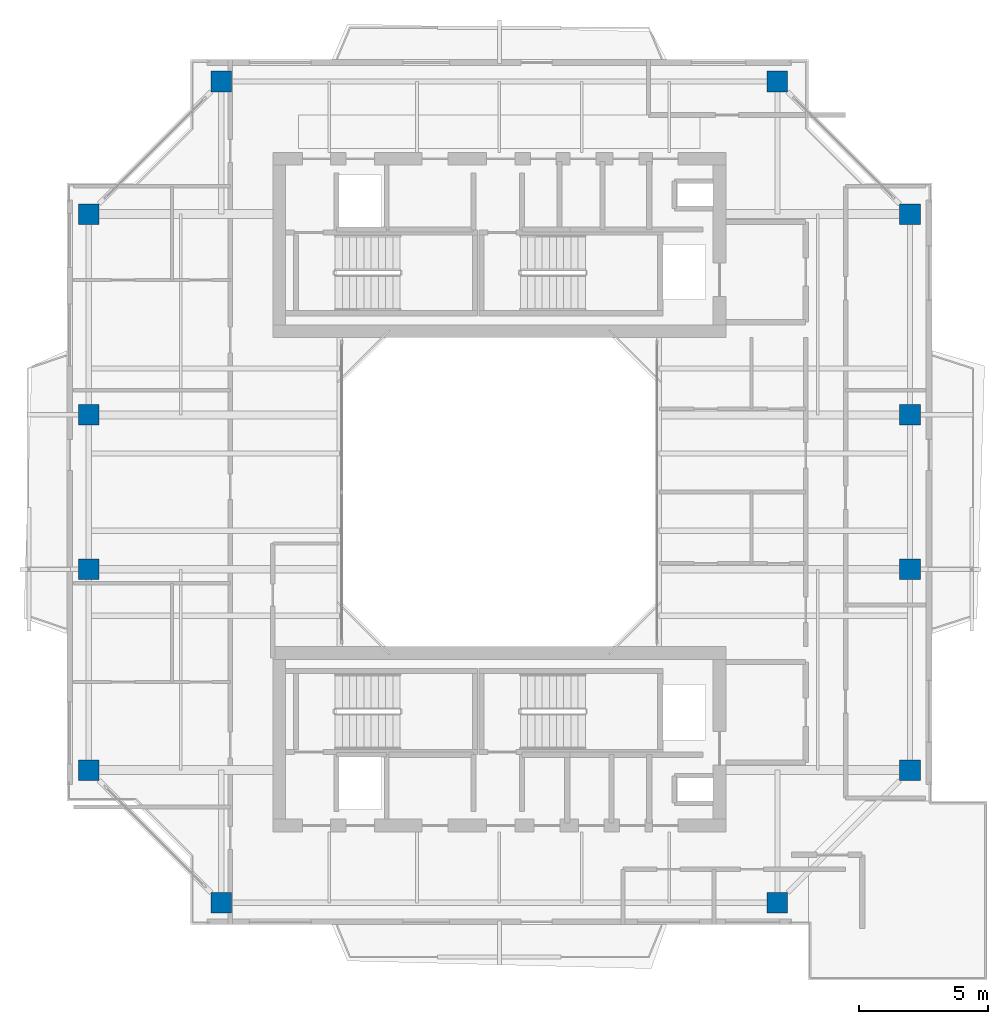
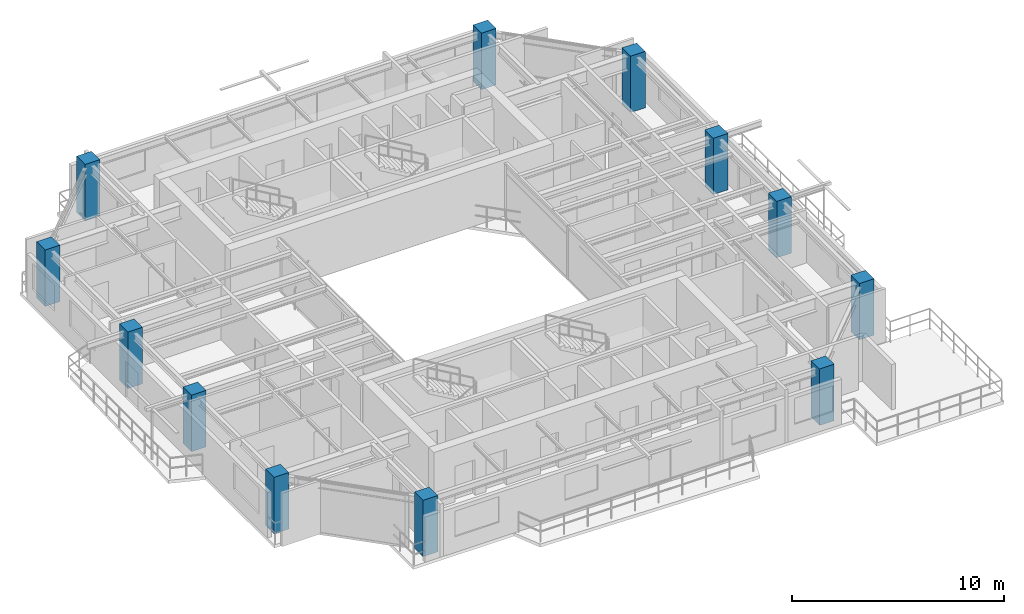
# One storey, part 1 of 16: 12 columns.
"""IFC4 building model written with IfcOpenShell, lengths in metres."""

from ifc_helpers import new_model, si_unit, direction, frame, origin, origin_2d, place, context, subcontext, project, spatial, rectangle, extrude, source, transform, mapped, material, material_profile, profile_set, type_object, element, save


model = new_model("IFC4")

# Units and contexts
model_context = context("Model", 3, precision=1e-05, world=origin(), true_north=direction((0.0, 1.0)))
body_context = subcontext(model_context, "Body", "Model", "MODEL_VIEW")
ifc_project = project(units=[si_unit("LENGTHUNIT", "METRE"), si_unit("AREAUNIT", "SQUARE_METRE"), si_unit("VOLUMEUNIT", "CUBIC_METRE"), si_unit("PLANEANGLEUNIT", "RADIAN"), si_unit("MASSUNIT", "GRAM", prefix="KILO"), si_unit("THERMODYNAMICTEMPERATUREUNIT", "KELVIN"), si_unit("POWERUNIT", "WATT")], contexts=[model_context])

# Site, building, storey
site_placement = place(None, origin())
site = spatial("IfcSite", under=ifc_project, at=site_placement, CompositionType="ELEMENT")
building_placement = place(site_placement, origin())
building = spatial("IfcBuilding", under=site, at=building_placement, Name="Qiaomeng Ring Towers", CompositionType="ELEMENT")
storey_placement = place(building_placement, frame((0.0, 0.0, 203.5)))
storey = spatial("IfcBuildingStorey", under=building, at=storey_placement, Name="L59", CompositionType="ELEMENT", Elevation=203.5)

# Columns
ifc_material = material(Name="Concrete C40", Category="concrete")
ifc_material_profile = material_profile(ifc_material, rectangle(XDim=0.800048828125, YDim=0.800048828125, at=origin_2d()), Name="RC COL 800x800")
ifc_profile_set = profile_set([ifc_material_profile], Name="Concrete C40")
column_type = type_object("IfcColumnType", Name="STR-COL-800-C40", PredefinedType="COLUMN", material=ifc_profile_set)
shared_shape = source(origin(), body_context, "Body", "SweptSolid", [
    extrude(rectangle(XDim=0.800048828125, YDim=0.800048828125, at=origin_2d()), origin(), (0.0, 0.0, 1.0), 3.25),
])
for number, where, z_axis, x_axis, name in (
    (1, (8.199951171875, 7.050048828125, 0.0), (0.0, 0.0, 1.0), (1.0, 0.0, 0.0), "L59 column STR-COL-L59-T1-S1"),
    (2, (29.800048828125, 7.050048828125, 0.0), (0.0, 0.0, 1.0), (1.0, 0.0, 0.0), "L59 column STR-COL-L59-T1-S2"),
    (3, (34.949951171875, 12.199951171875, 0.0), (0.0, 0.0, 1.0), (1.0, 0.0, 0.0), "L59 column STR-COL-L59-T1-E1"),
    (4, (34.949951171875, 20.0, 0.0), (0.0, 0.0, 1.0), (1.0, 0.0, 0.0), "L59 column STR-COL-L59-T1-E2"),
    (5, (34.949951171875, 26.0, 0.0), (0.0, 0.0, 1.0), (1.0, 0.0, 0.0), "L59 column STR-COL-L59-T1-E3"),
    (6, (34.949951171875, 33.800048828125, 0.0), (0.0, 0.0, 1.0), (1.0, 0.0, 0.0), "L59 column STR-COL-L59-T1-E4"),
    (7, (29.800048828125, 38.949951171875, 0.0), (0.0, 0.0, 1.0), (1.0, 0.0, 0.0), "L59 column STR-COL-L59-T1-N2"),
    (8, (8.199951171875, 38.949951171875, 0.0), (0.0, 0.0, 1.0), (1.0, 0.0, 0.0), "L59 column STR-COL-L59-T1-N1"),
    (9, (3.050048828125, 33.800048828125, 0.0), (0.0, 0.0, 1.0), (1.0, 0.0, 0.0), "L59 column STR-COL-L59-T1-W4"),
    (10, (3.050048828125, 26.0, 0.0), (0.0, 0.0, 1.0), (1.0, 0.0, 0.0), "L59 column STR-COL-L59-T1-W3"),
    (11, (3.050048828125, 20.0, 0.0), (0.0, 0.0, 1.0), (1.0, 0.0, 0.0), "L59 column STR-COL-L59-T1-W2"),
    (12, (3.050048828125, 12.199951171875, 0.0), (0.0, 0.0, 1.0), (1.0, 0.0, 0.0), "L59 column STR-COL-L59-T1-W1"),
):
    element("IfcColumn", number, at=place(storey_placement, frame(where, z_axis=z_axis, x_axis=x_axis)), inside=storey, type_object=column_type, Name=name, PredefinedType="COLUMN", context=body_context, shape_type="MappedRepresentation", body=[
        mapped(shared_shape, transform((0.0, 0.0, 0.0), x_axis=(1.0, 0.0, 0.0), y_axis=(0.0, 1.0, 0.0), z_axis=(0.0, 0.0, 1.0), scale=1.0)),
    ])

save(model, "model.ifc")
